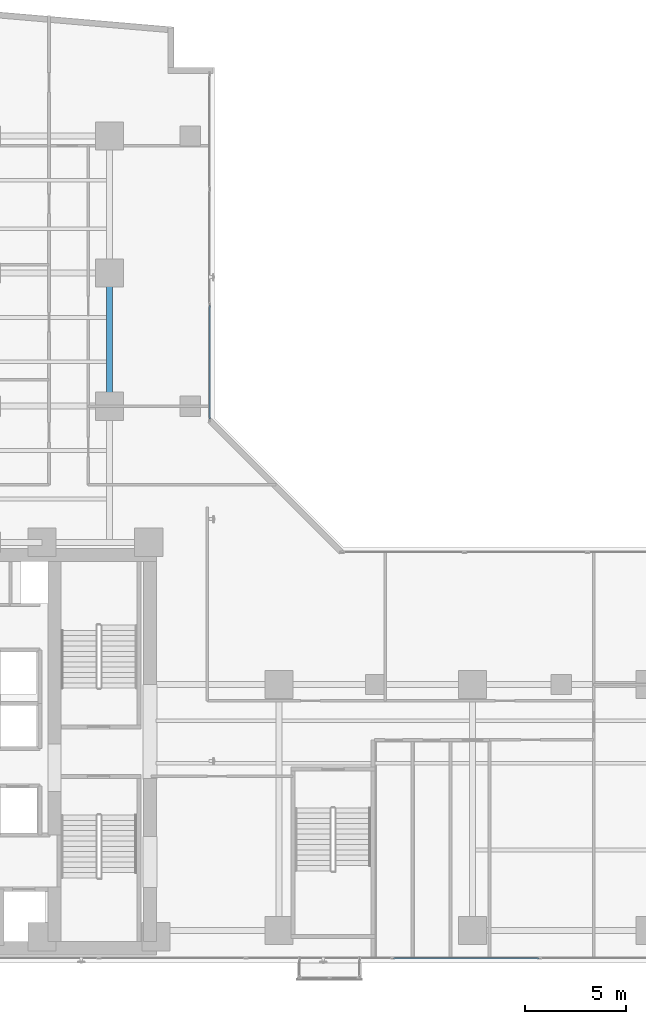
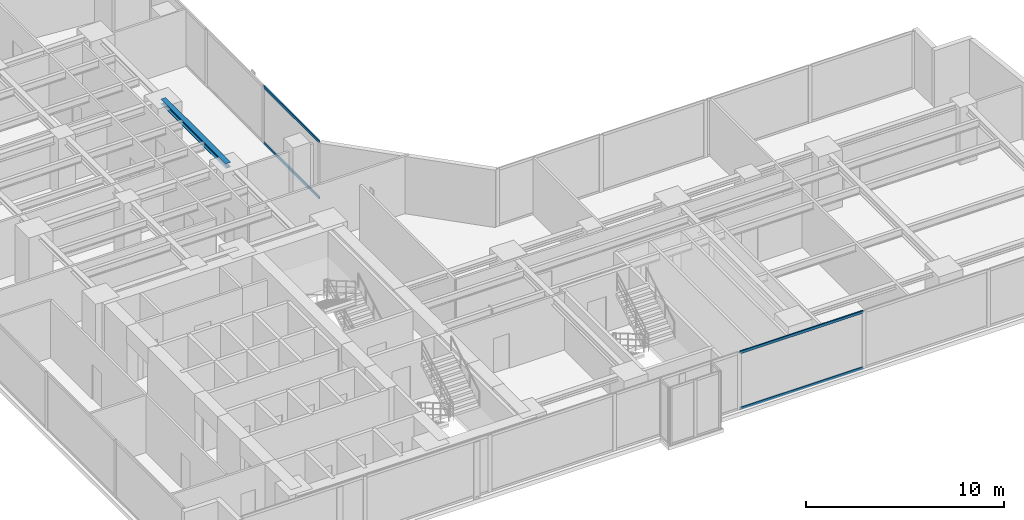
# One storey, part 10 of 24: 4 members, 1 beam, 2 elements without a shape of their own.
"""IFC4 building model written with IfcOpenShell, lengths in metres."""

from ifc_helpers import new_model, si_unit, direction, frame, origin, origin_with_axes, origin_2d, place, context, subcontext, project, spatial, hollow_rectangle, i_section, extrude, source, transform, mapped, material, layer, layer_set, material_profile, profile_set, type_object, element, aggregate, save


model = new_model("IFC4")

# Units and contexts
model_context = context("Model", 3, precision=1e-05, world=origin(), true_north=direction((0.0, 1.0)))
body_context = subcontext(model_context, "Body", "Model", "MODEL_VIEW")
ifc_project = project(units=[si_unit("LENGTHUNIT", "METRE"), si_unit("AREAUNIT", "SQUARE_METRE"), si_unit("VOLUMEUNIT", "CUBIC_METRE"), si_unit("PLANEANGLEUNIT", "RADIAN"), si_unit("MASSUNIT", "GRAM", prefix="KILO")], contexts=[model_context])

# Site, building, storey
site_placement = place(None, origin())
site = spatial("IfcSite", under=ifc_project, at=site_placement, CompositionType="ELEMENT")
building_placement = place(site_placement, origin())
building = spatial("IfcBuilding", under=site, at=building_placement, Name="Kolvaren Waterfront Exchange", CompositionType="ELEMENT")
storey_placement = place(building_placement, frame((0.0, 0.0, 95.5)))
storey = spatial("IfcBuildingStorey", under=building, at=storey_placement, Name="L24", CompositionType="ELEMENT", Elevation=95.5)

# Beam
ifc_material_1 = material(Name="Steel S355", Category="steel")
ifc_material_profile_1 = material_profile(ifc_material_1, i_section(OverallWidth=0.300048828125, OverallDepth=0.300048828125, WebThickness=0.010986328125, FlangeThickness=0.01904296875, FilletRadius=0.027099609375, at=origin_2d()), Name="HEB300")
ifc_profile_set_1 = profile_set([ifc_material_profile_1], Name="Steel S355")
beam_type = type_object("IfcBeamType", Name="STR-BM-HEB300", PredefinedType="SPANDREL", material=ifc_profile_set_1)
beam_placement = place(storey_placement, frame((18.800048828125, 31.199951171875, 3.389892578125), z_axis=(0.0, 1.0, 0.0), x_axis=(-1.0, 0.0, 0.0)))
element("IfcBeam", 1, at=beam_placement, inside=storey, type_object=beam_type, Name="L24 north-arm edge beam 2", PredefinedType="SPANDREL", context=body_context, shape_type="SweptSolid", body=[
    extrude(i_section(OverallWidth=0.300048828125, OverallDepth=0.300048828125, WebThickness=0.010986328125, FlangeThickness=0.01904296875, FilletRadius=0.027099609375, at=origin_2d()), origin(), (0.0, 0.0, 1.0), 6.60009765625),
])

# Curtain wall, members
ifc_material_2 = material(Name="Anodised bronze aluminium 6063-T6", Category="aluminium")
ifc_layer = layer(ifc_material_2, 0.219970703125, Name="Anodised bronze aluminium 6063-T6")
ifc_layer_set = layer_set([ifc_layer], Name="Anodised bronze aluminium 6063-T6")
curtain_wall_type = type_object("IfcCurtainWallType", Name="ARC-CW-SYS1", PredefinedType="USERDEFINED", material=ifc_layer_set)
curtain_wall_1_placement = place(storey_placement, origin())
curtain_wall_1 = element("IfcCurtainWall", 2, at=curtain_wall_1_placement, inside=storey, type_object=curtain_wall_type, Name="L24 stick curtain wall CW1 (CW-L24-NE)", ObjectType="STICK CURTAIN WALL", PredefinedType="USERDEFINED")
ifc_material_3 = material(Name="Anodised aluminium 6063-T6", Category="aluminium")
ifc_material_profile_2 = material_profile(ifc_material_3, hollow_rectangle(XDim=0.074951171875, YDim=0.159912109375, WallThickness=0.00439453125, at=origin_2d()), Name="ALU-TRN-160x75x4.5")
ifc_profile_set_2 = profile_set([ifc_material_profile_2], Name="Anodised aluminium 6063-T6")
member_type = type_object("IfcMemberType", Name="ARC-CWT-160", PredefinedType="USERDEFINED", material=ifc_profile_set_2)
shared_shape_1 = source(origin_with_axes(), body_context, "Body", "SweptSolid", [
    extrude(hollow_rectangle(XDim=0.074951171875, YDim=0.159912109375, WallThickness=0.00439453125, at=origin_2d()), origin(), (0.0, 0.0, 1.0), 5.61669921875),
])
member_1_placement = place(storey_placement, frame((23.760009765625, 30.570068359375, 0.03759765625), z_axis=(0.0, 1.0, 0.0), x_axis=(-1.0, 0.0, 0.0)))
member_1 = element("IfcMember", 3, at=member_1_placement, type_object=member_type, Name="CW1 transom 1.1", ObjectType="TRANSOM", PredefinedType="USERDEFINED", context=body_context, shape_type="MappedRepresentation", body=[
    mapped(shared_shape_1, transform((0.0, 0.0, 0.0), x_axis=(1.0, 0.0, 0.0), y_axis=(0.0, 1.0, 0.0), z_axis=(0.0, 0.0, 1.0), scale=1.0)),
])
member_2_placement = place(storey_placement, frame((23.760009765625, 30.570068359375, 3.50244140625), z_axis=(0.0, 1.0, 0.0), x_axis=(-1.0, 0.0, 0.0)))
member_2 = element("IfcMember", 4, at=member_2_placement, type_object=member_type, Name="CW1 transom 1.2", ObjectType="TRANSOM", PredefinedType="USERDEFINED", context=body_context, shape_type="MappedRepresentation", body=[
    mapped(shared_shape_1, transform((0.0, 0.0, 0.0), x_axis=(1.0, 0.0, 0.0), y_axis=(0.0, 1.0, 0.0), z_axis=(0.0, 0.0, 1.0), scale=1.0)),
])
aggregate(curtain_wall_1, [member_1, member_2])

curtain_wall_2_placement = place(storey_placement, origin())
curtain_wall_2 = element("IfcCurtainWall", 5, at=curtain_wall_2_placement, inside=storey, type_object=curtain_wall_type, Name="L24 stick curtain wall CW1 (CW-L24-S)", ObjectType="STICK CURTAIN WALL", PredefinedType="USERDEFINED")
shared_shape_2 = source(origin_with_axes(), body_context, "Body", "SweptSolid", [
    extrude(hollow_rectangle(XDim=0.074951171875, YDim=0.159912109375, WallThickness=0.00439453125, at=origin_2d()), origin(), (0.0, 0.0, 1.0), 7.205810546875),
])
member_3_placement = place(storey_placement, frame((32.8828125, 3.840087890625, 0.03759765625), z_axis=(1.0, 0.0, 0.0), x_axis=(0.0, 1.0, 0.0)))
member_3 = element("IfcMember", 6, at=member_3_placement, type_object=member_type, Name="CW1 transom 5.1", ObjectType="TRANSOM", PredefinedType="USERDEFINED", context=body_context, shape_type="MappedRepresentation", body=[
    mapped(shared_shape_2, transform((0.0, 0.0, 0.0), x_axis=(1.0, 0.0, 0.0), y_axis=(0.0, 1.0, 0.0), z_axis=(0.0, 0.0, 1.0), scale=1.0)),
])
member_4_placement = place(storey_placement, frame((32.8828125, 3.840087890625, 3.50244140625), z_axis=(1.0, 0.0, 0.0), x_axis=(0.0, 1.0, 0.0)))
member_4 = element("IfcMember", 7, at=member_4_placement, type_object=member_type, Name="CW1 transom 5.2", ObjectType="TRANSOM", PredefinedType="USERDEFINED", context=body_context, shape_type="MappedRepresentation", body=[
    mapped(shared_shape_2, transform((0.0, 0.0, 0.0), x_axis=(1.0, 0.0, 0.0), y_axis=(0.0, 1.0, 0.0), z_axis=(0.0, 0.0, 1.0), scale=1.0)),
])
aggregate(curtain_wall_2, [member_3, member_4])

save(model, "model.ifc")
